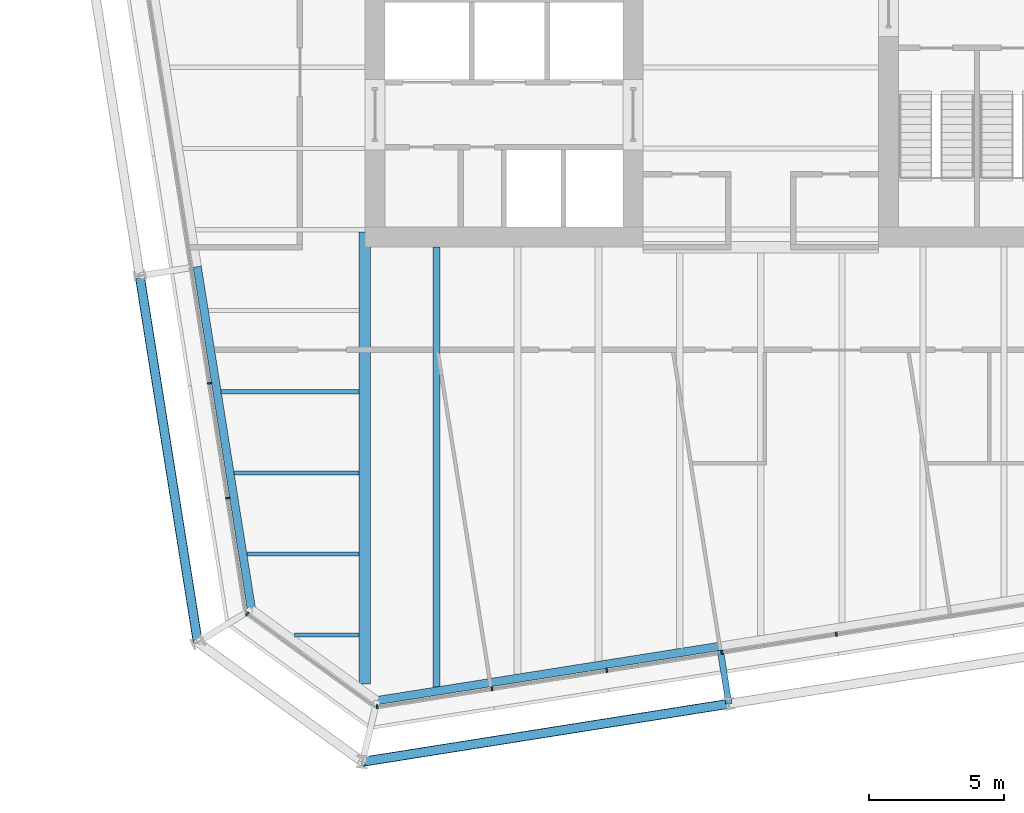
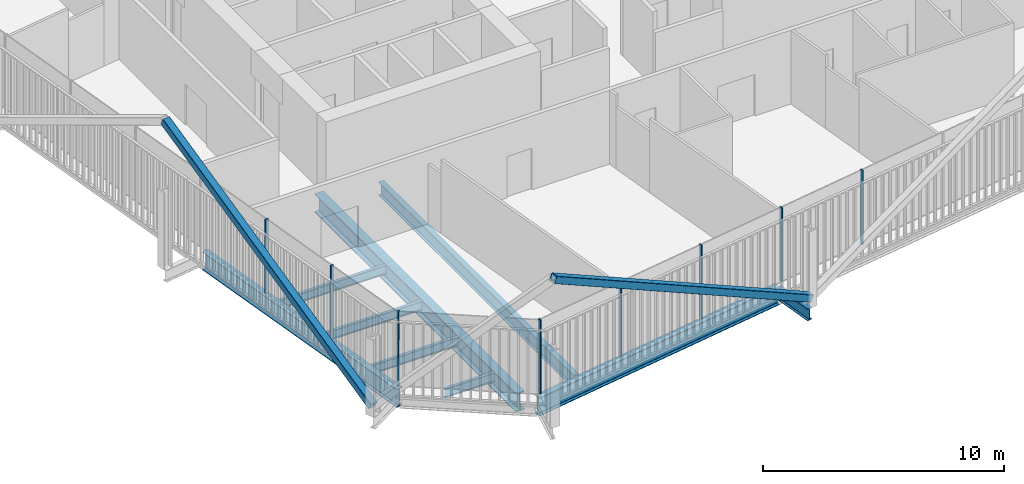
# One storey, part 2 of 22: 10 members, 9 beams, 3 elements without a shape of their own.
"""IFC4 building model written with IfcOpenShell, lengths in metres."""

from ifc_helpers import new_model, si_unit, direction, frame, origin, origin_2d, place, context, subcontext, project, spatial, rectangle, hollow_rectangle, i_section, extrude, material, layer, layer_set, material_profile, profile_set, type_object, element, aggregate, save


model = new_model("IFC4")

# Units and contexts
model_context = context("Model", 3, precision=1e-05, world=origin(), true_north=direction((0.0, 1.0)))
body_context = subcontext(model_context, "Body", "Model", "MODEL_VIEW")
ifc_project = project(units=[si_unit("LENGTHUNIT", "METRE"), si_unit("AREAUNIT", "SQUARE_METRE"), si_unit("VOLUMEUNIT", "CUBIC_METRE"), si_unit("PLANEANGLEUNIT", "RADIAN"), si_unit("MASSUNIT", "GRAM", prefix="KILO")], contexts=[model_context])

# Site, building, storey
site_placement = place(None, origin())
site = spatial("IfcSite", under=ifc_project, at=site_placement, CompositionType="ELEMENT")
building_placement = place(site_placement, origin())
building = spatial("IfcBuilding", under=site, at=building_placement, Name="Millrace Tower", CompositionType="ELEMENT")
storey_placement = place(building_placement, frame((0.0, 0.0, 145.10009765625)))
storey = spatial("IfcBuildingStorey", under=building, at=storey_placement, Name="L32", CompositionType="ELEMENT", Elevation=145.10009765625)

# Curtain wall, member
ifc_material_1 = material(Name="Aluminium and glass", Category="aluminium")
ifc_layer = layer(ifc_material_1, 0.14990234375)
ifc_layer_set = layer_set([ifc_layer], Name="Aluminium and glass")
curtain_wall_type = type_object("IfcCurtainWallType", Name="CW-1 office vision curtain wall", PredefinedType="NOTDEFINED", material=ifc_layer_set)
placement = place(storey_placement, origin())
curtain_wall_1 = element("IfcCurtainWall", 1, at=placement, inside=storey, type_object=curtain_wall_type, Name="Curtain wall C-F01 L32", PredefinedType="NOTDEFINED")
ifc_material_2 = material(Name="Aluminium", Category="aluminium")
ifc_material_profile_1 = material_profile(ifc_material_2, rectangle(XDim=0.06494140625, YDim=0.14990234375, at=origin_2d()))
ifc_profile_set_1 = profile_set([ifc_material_profile_1], Name="Aluminium")
member_type_1 = type_object("IfcMemberType", Name="CW-1 office vision curtain wall mullion", PredefinedType="MULLION", material=ifc_profile_set_1)
member_1_placement = place(storey_placement, frame((-19.00146484375, -23.2177734375, 0.139892578125), z_axis=(0.0, 0.0, 1.0), x_axis=(0.809016981623, -0.587785269844, 0.0)))
member_1 = element("IfcMember", 2, at=member_1_placement, type_object=member_type_1, Name="CW1 mullion C-F01.1", PredefinedType="MULLION", context=body_context, shape_type="SweptSolid", body=[
    extrude(rectangle(XDim=0.06494140625, YDim=0.14990234375, at=origin_2d()), origin(), (0.0, 0.0, 1.0), 3.760009765625),
])
aggregate(curtain_wall_1, [member_1])

# Curtain wall, members
curtain_wall_2 = element("IfcCurtainWall", 3, at=placement, inside=storey, type_object=curtain_wall_type, Name="Curtain wall C-F02 L32", PredefinedType="NOTDEFINED")
member_2_placement = place(storey_placement, frame((-14.191650390625, -26.65673828125, 0.139892578125), z_axis=(0.0, 0.0, 1.0), x_axis=(0.98768833929, 0.15643447328, 0.0)))
member_2 = element("IfcMember", 4, at=member_2_placement, type_object=member_type_1, Name="CW1 mullion C-F02.1", PredefinedType="MULLION", context=body_context, shape_type="SweptSolid", body=[
    extrude(rectangle(XDim=0.06494140625, YDim=0.14990234375, at=origin_2d()), origin(), (0.0, 0.0, 1.0), 3.760009765625),
])
member_3_placement = place(storey_placement, frame((-9.944580078125, -25.98388671875, 0.139892578125), z_axis=(0.0, 0.0, 1.0), x_axis=(0.98768833929, 0.15643447328, 0.0)))
member_3 = element("IfcMember", 5, at=member_3_placement, type_object=member_type_1, Name="CW1 mullion C-F02.2", PredefinedType="MULLION", context=body_context, shape_type="SweptSolid", body=[
    extrude(rectangle(XDim=0.06494140625, YDim=0.14990234375, at=origin_2d()), origin(), (0.0, 0.0, 1.0), 3.760009765625),
])
member_4_placement = place(storey_placement, frame((-5.697509765625, -25.311279296875, 0.139892578125), z_axis=(0.0, 0.0, 1.0), x_axis=(0.98768833929, 0.15643447328, 0.0)))
member_4 = element("IfcMember", 6, at=member_4_placement, type_object=member_type_1, Name="CW1 mullion C-F02.3", PredefinedType="MULLION", context=body_context, shape_type="SweptSolid", body=[
    extrude(rectangle(XDim=0.06494140625, YDim=0.14990234375, at=origin_2d()), origin(), (0.0, 0.0, 1.0), 3.760009765625),
])
member_5_placement = place(storey_placement, frame((-1.450439453125, -24.638671875, 0.139892578125), z_axis=(0.0, 0.0, 1.0), x_axis=(0.98768833929, 0.15643447328, 0.0)))
member_5 = element("IfcMember", 7, at=member_5_placement, type_object=member_type_1, Name="CW1 mullion C-F02.4", PredefinedType="MULLION", context=body_context, shape_type="SweptSolid", body=[
    extrude(rectangle(XDim=0.06494140625, YDim=0.14990234375, at=origin_2d()), origin(), (0.0, 0.0, 1.0), 3.760009765625),
])
member_6_placement = place(storey_placement, frame((2.796630859375, -23.966064453125, 0.139892578125), z_axis=(0.0, 0.0, 1.0), x_axis=(0.98768833929, 0.15643447328, 0.0)))
member_6 = element("IfcMember", 8, at=member_6_placement, type_object=member_type_1, Name="CW1 mullion C-F02.5", PredefinedType="MULLION", context=body_context, shape_type="SweptSolid", body=[
    extrude(rectangle(XDim=0.06494140625, YDim=0.14990234375, at=origin_2d()), origin(), (0.0, 0.0, 1.0), 3.760009765625),
])
aggregate(curtain_wall_2, [member_2, member_3, member_4, member_5, member_6])

curtain_wall_3 = element("IfcCurtainWall", 9, at=placement, inside=storey, type_object=curtain_wall_type, Name="Curtain wall C-F08 L32", PredefinedType="NOTDEFINED")
member_7_placement = place(storey_placement, frame((-20.39794921875, -14.687744140625, 0.139892578125), z_axis=(0.0, 0.0, 1.0), x_axis=(0.15643447328, -0.98768833929, 0.0)))
member_7 = element("IfcMember", 10, at=member_7_placement, type_object=member_type_1, Name="CW1 mullion C-F08.8", PredefinedType="MULLION", context=body_context, shape_type="SweptSolid", body=[
    extrude(rectangle(XDim=0.06494140625, YDim=0.14990234375, at=origin_2d()), origin(), (0.0, 0.0, 1.0), 3.760009765625),
])
member_8_placement = place(storey_placement, frame((-19.725341796875, -18.934814453125, 0.139892578125), z_axis=(0.0, 0.0, 1.0), x_axis=(0.15643447328, -0.98768833929, 0.0)))
member_8 = element("IfcMember", 11, at=member_8_placement, type_object=member_type_1, Name="CW1 mullion C-F08.9", PredefinedType="MULLION", context=body_context, shape_type="SweptSolid", body=[
    extrude(rectangle(XDim=0.06494140625, YDim=0.14990234375, at=origin_2d()), origin(), (0.0, 0.0, 1.0), 3.760009765625),
])
aggregate(curtain_wall_3, [member_7, member_8])

# Members
ifc_material_3 = material(Name="Steel ASTM A500 Grade C", Category="steel")
ifc_material_profile_2 = material_profile(ifc_material_3, hollow_rectangle(XDim=0.355712890625, YDim=0.355712890625, WallThickness=0.015869140625, InnerFilletRadius=0.008056640625, OuterFilletRadius=0.02392578125, at=origin_2d()))
ifc_profile_set_2 = profile_set([ifc_material_profile_2], Name="Steel ASTM A500 Grade C")
member_type_2 = type_object("IfcMemberType", Name="Exoskeleton brace HSS14x14x5/8", PredefinedType="BRACE", material=ifc_profile_set_2)
member_9_placement = place(storey_placement, frame((-1.181396484375, -26.545166015625, 0.39990234375), z_axis=(-0.879910131664, -0.139353430287, 0.454245287992), x_axis=(0.15642281023, -0.987690186465, 0.0)))
element("IfcMember", 12, at=member_9_placement, inside=storey, type_object=member_type_2, Name="BRC-C-L32-02", PredefinedType="BRACE", context=body_context, shape_type="SweptSolid", body=[
    extrude(hollow_rectangle(XDim=0.355712890625, YDim=0.355712890625, WallThickness=0.015869140625, InnerFilletRadius=0.008056640625, OuterFilletRadius=0.02392578125, at=origin_2d()), origin(), (0.0, 0.0, 1.0), 15.41015625),
])
member_10_placement = place(storey_placement, frame((-20.829345703125, -24.26904296875, 0.39990234375), z_axis=(-0.139370908249, 0.879904612171, 0.454250617407), x_axis=(-0.987687003601, -0.156442906258, 0.0)))
element("IfcMember", 13, at=member_10_placement, inside=storey, type_object=member_type_2, Name="BRC-C-L32-16", PredefinedType="BRACE", context=body_context, shape_type="SweptSolid", body=[
    extrude(hollow_rectangle(XDim=0.355712890625, YDim=0.355712890625, WallThickness=0.015869140625, InnerFilletRadius=0.008056640625, OuterFilletRadius=0.02392578125, at=origin_2d()), origin(), (0.0, 0.0, 1.0), 15.409912109375),
])

# Beams
ifc_material_4 = material(Name="Steel ASTM A992 Grade 50", Category="steel")
ifc_material_profile_3 = material_profile(ifc_material_4, i_section(OverallWidth=0.15234375, OverallDepth=0.449462890625, WebThickness=0.007568359375, FlangeThickness=0.0107421875, FilletRadius=0.01025390625, at=origin_2d()))
ifc_profile_set_3 = profile_set([ifc_material_profile_3], Name="Steel ASTM A992 Grade 50")
beam_type_1 = type_object("IfcBeamType", Name="Floor beam W18x35", PredefinedType="JOIST", material=ifc_profile_set_3)
beam_1_placement = place(storey_placement, frame((-19.01123046875, -21.0, -0.384765625), z_axis=(1.0, 0.0, 0.0), x_axis=(0.0, 1.0, 0.0)))
element("IfcBeam", 14, at=beam_1_placement, inside=storey, type_object=beam_type_1, Name="BM-C-L32-S1-S002", PredefinedType="JOIST", context=body_context, shape_type="SweptSolid", body=[
    extrude(i_section(OverallWidth=0.15234375, OverallDepth=0.449462890625, WebThickness=0.007568359375, FlangeThickness=0.0107421875, FilletRadius=0.01025390625, at=origin_2d()), origin(), (0.0, 0.0, 1.0), 4.151611328125),
])
beam_2_placement = place(storey_placement, frame((-19.486328125, -18.0, -0.384765625), z_axis=(1.0, 0.0, 0.0), x_axis=(0.0, 1.0, 0.0)))
element("IfcBeam", 15, at=beam_2_placement, inside=storey, type_object=beam_type_1, Name="BM-C-L32-S1-S004", PredefinedType="JOIST", context=body_context, shape_type="SweptSolid", body=[
    extrude(i_section(OverallWidth=0.15234375, OverallDepth=0.449462890625, WebThickness=0.007568359375, FlangeThickness=0.0107421875, FilletRadius=0.01025390625, at=origin_2d()), origin(), (0.0, 0.0, 1.0), 4.626708984375),
])
beam_3_placement = place(storey_placement, frame((-19.96142578125, -15.0, -0.384765625), z_axis=(1.0, 0.0, 0.0), x_axis=(0.0, 1.0, 0.0)))
element("IfcBeam", 16, at=beam_3_placement, inside=storey, type_object=beam_type_1, Name="BM-C-L32-S1-S006", PredefinedType="JOIST", context=body_context, shape_type="SweptSolid", body=[
    extrude(i_section(OverallWidth=0.15234375, OverallDepth=0.449462890625, WebThickness=0.007568359375, FlangeThickness=0.0107421875, FilletRadius=0.01025390625, at=origin_2d()), origin(), (0.0, 0.0, 1.0), 5.101806640625),
])
beam_4_placement = place(storey_placement, frame((-17.246337890625, -24.0, -0.384765625), z_axis=(1.0, 0.0, 0.0), x_axis=(0.0, 1.0, 0.0)))
element("IfcBeam", 17, at=beam_4_placement, inside=storey, type_object=beam_type_1, Name="BM-C-L32-S1-S001", PredefinedType="JOIST", context=body_context, shape_type="SweptSolid", body=[
    extrude(i_section(OverallWidth=0.15234375, OverallDepth=0.449462890625, WebThickness=0.007568359375, FlangeThickness=0.0107421875, FilletRadius=0.01025390625, at=origin_2d()), origin(), (0.0, 0.0, 1.0), 2.38671875),
])
ifc_material_5 = material(Name="Steel ASTM A992 Grade 50", Category="steel")
ifc_material_profile_4 = material_profile(ifc_material_5, i_section(OverallWidth=0.256591796875, OverallDepth=0.693359375, WebThickness=0.014404296875, FlangeThickness=0.023681640625, FilletRadius=0.01513671875, at=origin_2d()))
ifc_profile_set_4 = profile_set([ifc_material_profile_4], Name="Steel ASTM A992 Grade 50")
beam_type_2 = type_object("IfcBeamType", Name="Floor beam W27x114", PredefinedType="JOIST", material=ifc_profile_set_4)
beam_5_placement = place(storey_placement, frame((-12.0, -25.92236328125, -0.5068359375), z_axis=(0.0, 1.0, 0.0), x_axis=(-1.0, 0.0, 0.0)))
element("IfcBeam", 18, at=beam_5_placement, inside=storey, type_object=beam_type_2, Name="BM-C-L32-S1-S040", PredefinedType="JOIST", context=body_context, shape_type="SweptSolid", body=[
    extrude(i_section(OverallWidth=0.256591796875, OverallDepth=0.693359375, WebThickness=0.014404296875, FlangeThickness=0.023681640625, FilletRadius=0.01513671875, at=origin_2d()), origin(), (0.0, 0.0, 1.0), 16.2724609375),
])
ifc_material_6 = material(Name="Steel ASTM A992 Grade 50", Category="steel")
ifc_material_profile_5 = material_profile(ifc_material_6, i_section(OverallWidth=0.424072265625, OverallDepth=0.947509765625, WebThickness=0.02392578125, FlangeThickness=0.042724609375, FilletRadius=0.024169921875, at=origin_2d()))
ifc_profile_set_5 = profile_set([ifc_material_profile_5], Name="Steel ASTM A992 Grade 50")
beam_type_3 = type_object("IfcBeamType", Name="Girder medium span W36x302", PredefinedType="BEAM", material=ifc_profile_set_5)
beam_6_placement = place(storey_placement, frame((-14.64990234375, -25.806640625, -0.6337890625), z_axis=(0.0, 1.0, 0.0), x_axis=(-1.0, 0.0, 0.0)))
element("IfcBeam", 19, at=beam_6_placement, inside=storey, type_object=beam_type_3, Name="BM-C-L32-S1-G058", PredefinedType="BEAM", context=body_context, shape_type="SweptSolid", body=[
    extrude(i_section(OverallWidth=0.424072265625, OverallDepth=0.947509765625, WebThickness=0.02392578125, FlangeThickness=0.042724609375, FilletRadius=0.024169921875, at=origin_2d()), origin(), (0.0, 0.0, 1.0), 16.720703125),
])
ifc_material_7 = material(Name="Steel ASTM A992 Grade 50", Category="steel")
ifc_material_profile_6 = material_profile(ifc_material_7, i_section(OverallWidth=0.23046875, OverallDepth=0.6171875, WebThickness=0.01318359375, FlangeThickness=0.022216796875, FilletRadius=0.012939453125, at=origin_2d()))
ifc_profile_set_6 = profile_set([ifc_material_profile_6], Name="Steel ASTM A992 Grade 50")
beam_type_4 = type_object("IfcBeamType", Name="Link beam W24x94", PredefinedType="BEAM", material=ifc_profile_set_6)
beam_7_placement = place(storey_placement, frame((-1.494384765625, -24.569580078125, -0.46875), z_axis=(0.156476509441, -0.987681680499, 0.0), x_axis=(0.987681680499, 0.156476509441, 0.0)))
element("IfcBeam", 20, at=beam_7_placement, inside=storey, type_object=beam_type_4, Name="LNK-C-L32-S1-15", PredefinedType="BEAM", context=body_context, shape_type="SweptSolid", body=[
    extrude(i_section(OverallWidth=0.23046875, OverallDepth=0.6171875, WebThickness=0.01318359375, FlangeThickness=0.022216796875, FilletRadius=0.012939453125, at=origin_2d()), origin(), (0.0, 0.0, 1.0), 2.000244140625),
])
ifc_material_8 = material(Name="Steel ASTM A992 Grade 50", Category="steel")
ifc_material_profile_7 = material_profile(ifc_material_8, i_section(OverallWidth=0.307373046875, OverallDepth=0.927001953125, WebThickness=0.01953125, FlangeThickness=0.031982421875, FilletRadius=0.01904296875, at=origin_2d()))
ifc_profile_set_7 = profile_set([ifc_material_profile_7], Name="Steel ASTM A992 Grade 50")
beam_type_5 = type_object("IfcBeamType", Name="Ring beam medium span W36x194", PredefinedType="SPANDREL", material=ifc_profile_set_7)
beam_8_placement = place(storey_placement, frame((-18.841796875, -23.051025390625, -0.62353515625), z_axis=(-0.156436246498, 0.987688058438, 0.0), x_axis=(-0.987688058438, -0.156436246498, 0.0)))
element("IfcBeam", 21, at=beam_8_placement, inside=storey, type_object=beam_type_5, Name="RNG-C-L32-S1-01", PredefinedType="SPANDREL", context=body_context, shape_type="SweptSolid", body=[
    extrude(i_section(OverallWidth=0.307373046875, OverallDepth=0.927001953125, WebThickness=0.01953125, FlangeThickness=0.031982421875, FilletRadius=0.01904296875, at=origin_2d()), origin(), (0.0, 0.0, 1.0), 12.836181640625),
])
beam_9_placement = place(storey_placement, frame((-1.518310546875, -24.41796875, -0.62353515625), z_axis=(-0.987688523879, -0.15643330783, 0.0), x_axis=(0.15643330783, -0.987688523879, 0.0)))
element("IfcBeam", 22, at=beam_9_placement, inside=storey, type_object=beam_type_5, Name="RNG-C-L32-S1-15", PredefinedType="SPANDREL", context=body_context, shape_type="SweptSolid", body=[
    extrude(i_section(OverallWidth=0.307373046875, OverallDepth=0.927001953125, WebThickness=0.01953125, FlangeThickness=0.031982421875, FilletRadius=0.01904296875, at=origin_2d()), origin(), (0.0, 0.0, 1.0), 12.83642578125),
])

save(model, "model.ifc")
